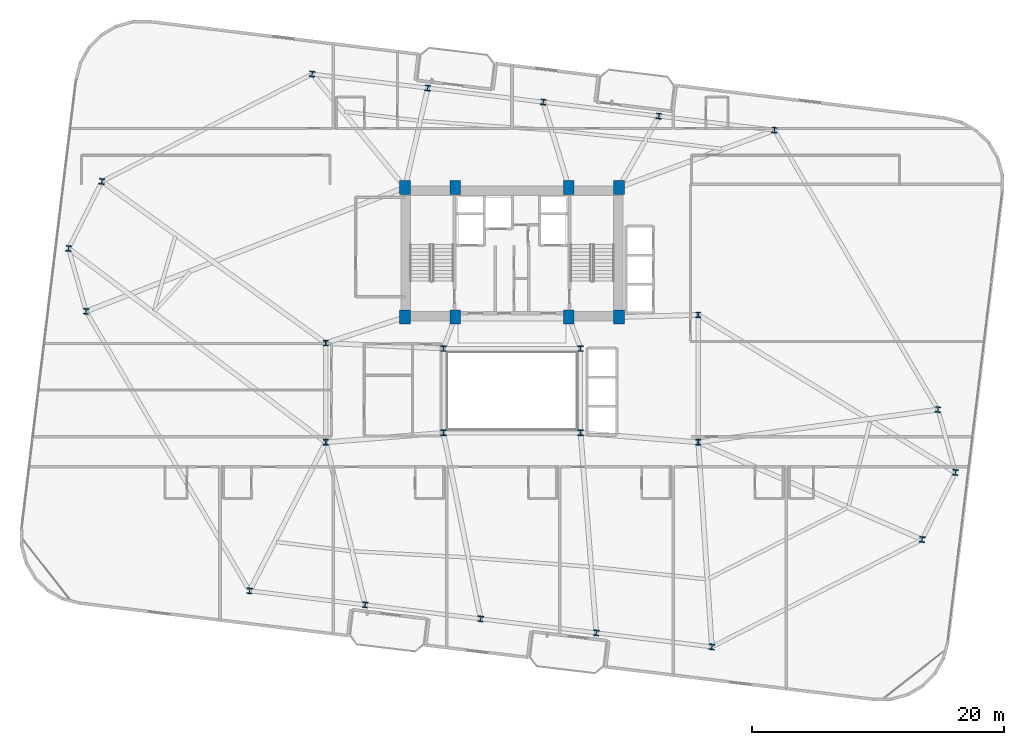
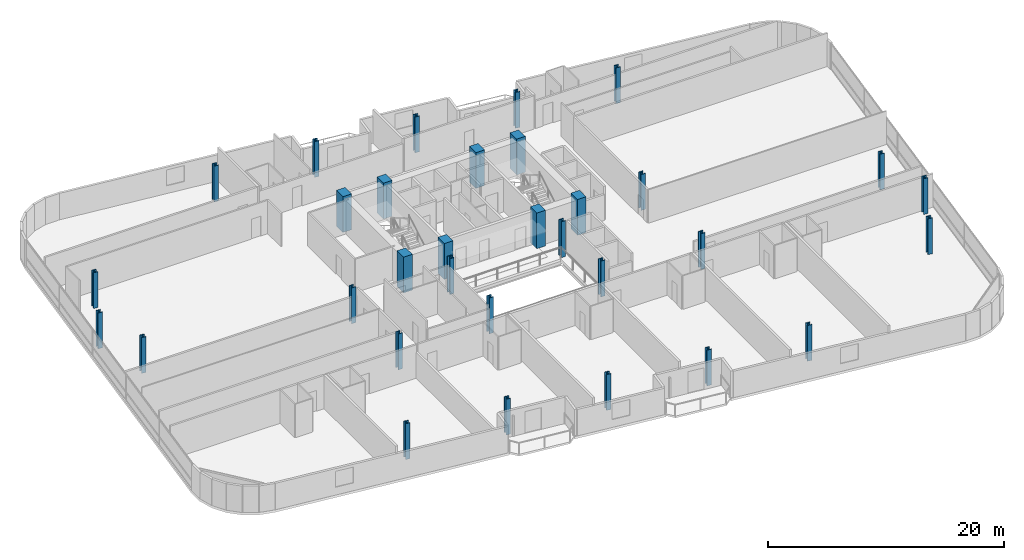
# One storey, part 1 of 26: 32 columns.
"""IFC4 building model written with IfcOpenShell, lengths in metres."""

from ifc_helpers import new_model, si_unit, direction, frame, origin, origin_2d, place, context, subcontext, project, spatial, rectangle, i_section, extrude, material, material_profile, profile_set, type_object, element, save


model = new_model("IFC4")

# Units and contexts
model_context = context("Model", 3, precision=1e-05, world=origin(), true_north=direction((0.0, 1.0)))
body_context = subcontext(model_context, "Body", "Model", "MODEL_VIEW")
ifc_project = project(units=[si_unit("LENGTHUNIT", "METRE"), si_unit("AREAUNIT", "SQUARE_METRE"), si_unit("VOLUMEUNIT", "CUBIC_METRE"), si_unit("PLANEANGLEUNIT", "RADIAN"), si_unit("MASSUNIT", "GRAM", prefix="KILO")], contexts=[model_context])

# Site, building, storey
site_placement = place(None, origin())
site = spatial("IfcSite", under=ifc_project, at=site_placement, CompositionType="ELEMENT")
building_placement = place(site_placement, origin())
building = spatial("IfcBuilding", under=site, at=building_placement, Name="Varnelok Gate Tower", CompositionType="ELEMENT")
storey_placement = place(building_placement, frame((0.0, 0.0, 151.300048828125)))
storey = spatial("IfcBuildingStorey", under=building, at=storey_placement, Name="L38", CompositionType="ELEMENT", Elevation=151.300048828125)

# Columns
ifc_material_1 = material(Name="Concrete C60/75", Category="concrete")
ifc_material_profile_1 = material_profile(ifc_material_1, rectangle(XDim=0.85009765625, YDim=1.10009765625, at=origin_2d()), Name="RC1100X850")
ifc_profile_set_1 = profile_set([ifc_material_profile_1], Name="Concrete C60/75")
column_type_1 = type_object("IfcColumnType", Name="COL-RC1100X850", PredefinedType="COLUMN", material=ifc_profile_set_1)
for number, where, z_axis, x_axis, name in (
    (1, (30.699951171875, 28.75, 0.0), (0.0, 0.0, 1.0), (1.0, 0.0, 0.0), "L38 Core Spine Column SC1"),
    (2, (34.679931640625, 28.75, 0.0), (0.0, 0.0, 1.0), (1.0, 0.0, 0.0), "L38 Core Spine Column SC2"),
    (3, (43.719970703125, 28.75, 0.0), (0.0, 0.0, 1.0), (1.0, 0.0, 0.0), "L38 Core Spine Column SC3"),
    (4, (47.699951171875, 28.75, 0.0), (0.0, 0.0, 1.0), (1.0, 0.0, 0.0), "L38 Core Spine Column SC4"),
    (5, (30.699951171875, 39.050048828125, 0.0), (0.0, 0.0, 1.0), (1.0, 0.0, 0.0), "L38 Core Spine Column SC5"),
    (6, (34.679931640625, 39.050048828125, 0.0), (0.0, 0.0, 1.0), (1.0, 0.0, 0.0), "L38 Core Spine Column SC6"),
    (7, (43.719970703125, 39.050048828125, 0.0), (0.0, 0.0, 1.0), (1.0, 0.0, 0.0), "L38 Core Spine Column SC7"),
    (8, (47.699951171875, 39.050048828125, 0.0), (0.0, 0.0, 1.0), (1.0, 0.0, 0.0), "L38 Core Spine Column SC8"),
):
    element("IfcColumn", number, at=place(storey_placement, frame(where, z_axis=z_axis, x_axis=x_axis)), inside=storey, type_object=column_type_1, Name=name, PredefinedType="COLUMN", context=body_context, shape_type="SweptSolid", body=[
        extrude(rectangle(XDim=0.85009765625, YDim=1.10009765625, at=origin_2d()), origin(), (0.0, 0.0, 1.0), 3.699951171875),
    ])
ifc_material_2 = material(Name="Structural Steel ASTM A992 Grade 50", Category="steel")
ifc_material_profile_2 = material_profile(ifc_material_2, i_section(OverallWidth=0.41796875, OverallDepth=0.455078125, WebThickness=0.0419921875, FlangeThickness=0.067626953125, FilletRadius=0.02490234375, at=origin_2d()), Name="W14X370")
ifc_profile_set_2 = profile_set([ifc_material_profile_2], Name="Structural Steel ASTM A992 Grade 50")
column_type_2 = type_object("IfcColumnType", Name="COL-W14X370", PredefinedType="COLUMN", material=ifc_profile_set_2)
for number, where, z_axis, x_axis, name in (
    (9, (33.75, 19.550048828125, 0.0), (0.0, 0.0, 1.0), (1.0, 0.0, 0.0), "L38 Atrium Spine Column AC1"),
    (10, (44.64990234375, 19.550048828125, 0.0), (0.0, 0.0, 1.0), (1.0, 0.0, 0.0), "L38 Atrium Spine Column AC2"),
    (11, (33.75, 26.25, 0.0), (0.0, 0.0, 1.0), (1.0, 0.0, 0.0), "L38 Atrium Spine Column AC3"),
    (12, (44.64990234375, 26.25, 0.0), (0.0, 0.0, 1.0), (1.0, 0.0, 0.0), "L38 Atrium Spine Column AC4"),
    (13, (24.39990234375, 18.800048828125, 0.0), (0.0, 0.0, 1.0), (1.0, 0.0, 0.0), "L38 Wing Spine Column WS1"),
    (14, (24.39990234375, 26.679931640625, 0.0), (0.0, 0.0, 1.0), (1.0, 0.0, 0.0), "L38 Wing Spine Column WS2"),
    (15, (54.0, 18.800048828125, 0.0), (0.0, 0.0, 1.0), (1.0, 0.0, 0.0), "L38 Wing Spine Column ES1"),
    (16, (54.0, 28.919921875, 0.0), (0.0, 0.0, 1.0), (1.0, 0.0, 0.0), "L38 Wing Spine Column ES2"),
    (17, (18.345703125, 6.99658203125, 0.0), (0.0, 0.0, 1.0), (0.992732158755, -0.12034475881, 0.0), "L38 B3 Perimeter Column PC01"),
    (18, (27.528564453125, 5.883544921875, 0.0), (0.0, 0.0, 1.0), (0.992732158755, -0.12034475881, 0.0), "L38 B3 Perimeter Column PC02"),
    (19, (36.711181640625, 4.770263671875, 0.0), (0.0, 0.0, 1.0), (0.992732158755, -0.12034475881, 0.0), "L38 B3 Perimeter Column PC03"),
    (20, (45.89404296875, 3.656982421875, 0.0), (0.0, 0.0, 1.0), (0.992732158755, -0.12034475881, 0.0), "L38 B3 Perimeter Column PC04"),
    (21, (55.076904296875, 2.5439453125, 0.0), (0.0, 0.0, 1.0), (0.992732158755, -0.12034475881, 0.0), "L38 B3 Perimeter Column PC05"),
    (22, (71.79296875, 11.07421875, 0.0), (0.0, 0.0, 1.0), (0.992732158755, -0.12034475881, 0.0), "L38 B3 Perimeter Column PC06"),
    (23, (74.435546875, 16.40478515625, 0.0), (0.0, 0.0, 1.0), (0.992732158755, -0.12034475881, 0.0), "L38 B3 Perimeter Column PC07"),
    (24, (73.04443359375, 21.398681640625, 0.0), (0.0, 0.0, 1.0), (0.992732158755, -0.12034475881, 0.0), "L38 B3 Perimeter Column PC08"),
    (25, (60.05419921875, 43.603271484375, 0.0), (0.0, 0.0, 1.0), (0.992732158755, -0.12034475881, 0.0), "L38 B3 Perimeter Column PC09"),
    (26, (50.87158203125, 44.716552734375, 0.0), (0.0, 0.0, 1.0), (0.992732158755, -0.12034475881, 0.0), "L38 B3 Perimeter Column PC10"),
    (27, (41.688720703125, 45.82958984375, 0.0), (0.0, 0.0, 1.0), (0.992732158755, -0.12034475881, 0.0), "L38 B3 Perimeter Column PC11"),
    (28, (32.506103515625, 46.94287109375, 0.0), (0.0, 0.0, 1.0), (0.992732158755, -0.12034475881, 0.0), "L38 B3 Perimeter Column PC12"),
    (29, (23.3232421875, 48.05615234375, 0.0), (0.0, 0.0, 1.0), (0.992732158755, -0.12034475881, 0.0), "L38 B3 Perimeter Column PC13"),
    (30, (6.607177734375, 39.52587890625, 0.0), (0.0, 0.0, 1.0), (0.992732158755, -0.12034475881, 0.0), "L38 B3 Perimeter Column PC14"),
    (31, (3.96435546875, 34.195068359375, 0.0), (0.0, 0.0, 1.0), (0.992732158755, -0.12034475881, 0.0), "L38 B3 Perimeter Column PC15"),
    (32, (5.35546875, 29.201416015625, 0.0), (0.0, 0.0, 1.0), (0.992732158755, -0.12034475881, 0.0), "L38 B3 Perimeter Column PC16"),
):
    element("IfcColumn", number, at=place(storey_placement, frame(where, z_axis=z_axis, x_axis=x_axis)), inside=storey, type_object=column_type_2, Name=name, PredefinedType="COLUMN", context=body_context, shape_type="SweptSolid", body=[
        extrude(i_section(OverallWidth=0.41796875, OverallDepth=0.455078125, WebThickness=0.0419921875, FlangeThickness=0.067626953125, FilletRadius=0.02490234375, at=origin_2d()), origin(), (0.0, 0.0, 1.0), 3.699951171875),
    ])

save(model, "model.ifc")
